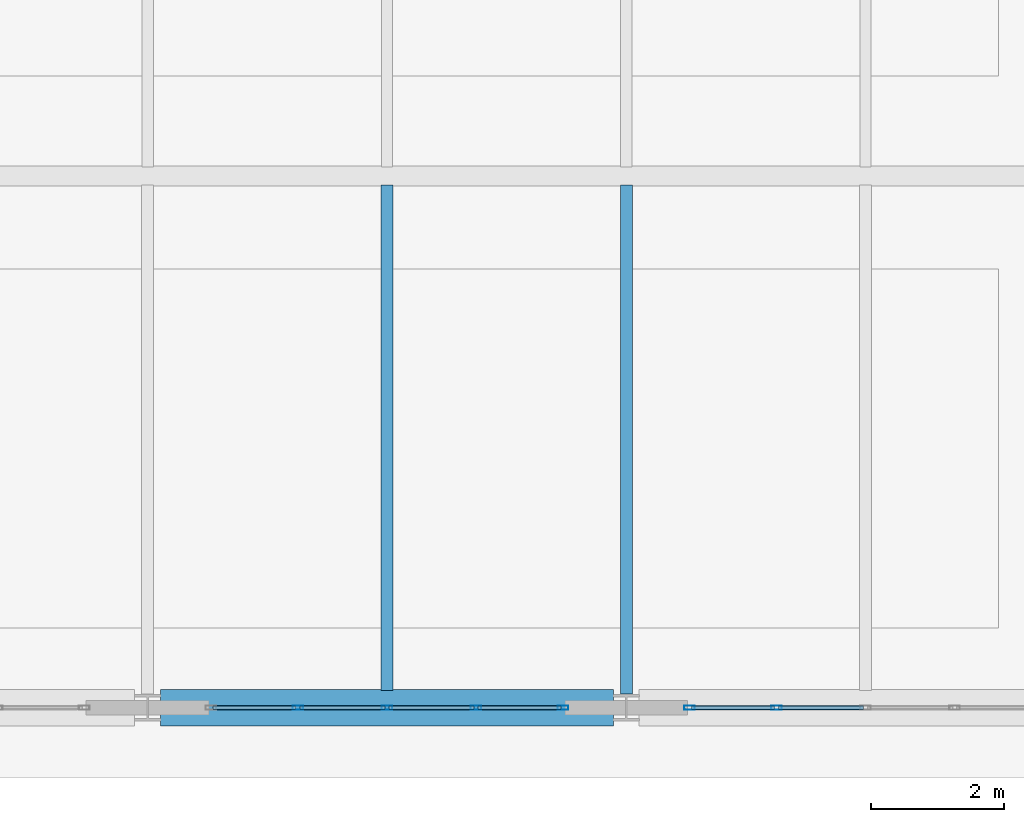
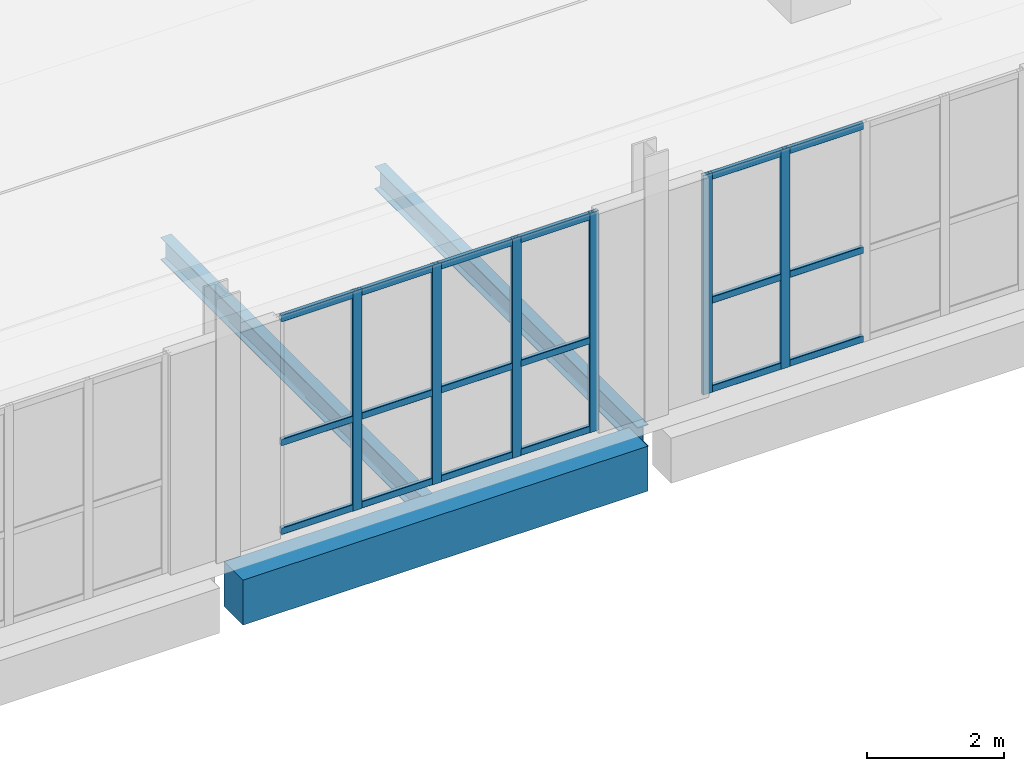
# One storey, part 8 of 36: 24 members, 3 beams, 2 elements without a shape of their own.
"""IFC4 building model written with IfcOpenShell, lengths in metres."""

from ifc_helpers import new_model, si_unit, direction, frame, origin, origin_2d, place, context, subcontext, project, spatial, rectangle, hollow_rectangle, i_section, extrude, material, layer, layer_set, material_profile, profile_set, type_object, element, aggregate, save


model = new_model("IFC4")

# Units and contexts
model_context = context("Model", 3, precision=1e-05, world=origin(), true_north=direction((0.0, 1.0)))
body_context = subcontext(model_context, "Body", "Model", "MODEL_VIEW")
ifc_project = project(units=[si_unit("LENGTHUNIT", "METRE"), si_unit("AREAUNIT", "SQUARE_METRE"), si_unit("VOLUMEUNIT", "CUBIC_METRE"), si_unit("PLANEANGLEUNIT", "RADIAN"), si_unit("MASSUNIT", "GRAM", prefix="KILO")], contexts=[model_context])

# Site, building, storey
site_placement = place(None, origin())
site = spatial("IfcSite", under=ifc_project, at=site_placement, CompositionType="ELEMENT")
building_placement = place(site_placement, origin())
building = spatial("IfcBuilding", under=site, at=building_placement, Name="Kaelvorn Grand Hotel", CompositionType="ELEMENT")
storey_placement = place(building_placement, frame((0.0, 0.0, 305.699951171875)))
storey = spatial("IfcBuildingStorey", under=building, at=storey_placement, Name="L74", CompositionType="ELEMENT", Elevation=305.699951171875)

# Beams
ifc_material_1 = material(Name="Steel S355", Category="steel")
ifc_material_profile_1 = material_profile(ifc_material_1, i_section(OverallWidth=0.179931640625, OverallDepth=0.39990234375, WebThickness=0.008544921875, FlangeThickness=0.013427734375, FilletRadius=0.02099609375, at=origin_2d()), Name="IPE 400")
ifc_profile_set_1 = profile_set([ifc_material_profile_1], Name="Steel S355")
beam_type_1 = type_object("IfcBeamType", Name="BM-J-IPE400-S355", PredefinedType="JOIST", material=ifc_profile_set_1)
beam_1_placement = place(storey_placement, frame((27.0, 7.260009765625, -0.579833984375), z_axis=(0.0, 1.0, 0.0), x_axis=(-1.0, 0.0, 0.0)))
element("IfcBeam", 1, at=beam_1_placement, inside=storey, type_object=beam_type_1, Name="L74 Composite Floor Joist JS-08", PredefinedType="JOIST", context=body_context, shape_type="SweptSolid", body=[
    extrude(i_section(OverallWidth=0.179931640625, OverallDepth=0.39990234375, WebThickness=0.008544921875, FlangeThickness=0.013427734375, FilletRadius=0.02099609375, at=origin_2d()), origin(), (0.0, 0.0, 1.0), 7.60400390625),
])
beam_2_placement = place(storey_placement, frame((30.60009765625, 7.205078125, -0.579833984375), z_axis=(0.0, 1.0, 0.0), x_axis=(-1.0, 0.0, 0.0)))
element("IfcBeam", 2, at=beam_2_placement, inside=storey, type_object=beam_type_1, Name="L74 Composite Floor Joist JS-09", PredefinedType="JOIST", context=body_context, shape_type="SweptSolid", body=[
    extrude(i_section(OverallWidth=0.179931640625, OverallDepth=0.39990234375, WebThickness=0.008544921875, FlangeThickness=0.013427734375, FilletRadius=0.02099609375, at=origin_2d()), origin(), (0.0, 0.0, 1.0), 7.658935546875),
])
ifc_material_2 = material(Name="Concrete C50/60", Category="concrete")
ifc_material_profile_2 = material_profile(ifc_material_2, rectangle(XDim=0.550048828125, YDim=0.800048828125, at=origin_2d()), Name="RC SPANDREL 550x800")
ifc_profile_set_2 = profile_set([ifc_material_profile_2], Name="Concrete C50/60")
beam_type_2 = type_object("IfcBeamType", Name="BM-SP-550x800-C50", PredefinedType="SPANDREL", material=ifc_profile_set_2)
beam_3_placement = place(storey_placement, frame((23.594970703125, 7.0, -0.780029296875), z_axis=(1.0, 0.0, 0.0), x_axis=(0.0, 1.0, 0.0)))
element("IfcBeam", 3, at=beam_3_placement, inside=storey, type_object=beam_type_2, Name="L74 South Perimeter Spandrel 03", PredefinedType="SPANDREL", context=body_context, shape_type="SweptSolid", body=[
    extrude(rectangle(XDim=0.550048828125, YDim=0.800048828125, at=origin_2d()), origin(), (0.0, 0.0, 1.0), 6.81005859375),
])

# Curtain wall, members
ifc_material_3 = material(Name="Anodised Aluminium", Category="aluminium")
ifc_layer = layer(ifc_material_3, 0.159912109375)
ifc_layer_set = layer_set([ifc_layer], Name="Anodised Aluminium")
curtain_wall_type = type_object("IfcCurtainWallType", Name="CW-SYS6", PredefinedType="NOTDEFINED", material=ifc_layer_set)
curtain_wall_1_placement = place(storey_placement, origin())
curtain_wall_1 = element("IfcCurtainWall", 4, at=curtain_wall_1_placement, inside=storey, type_object=curtain_wall_type, Name="L74 Unitised Curtain Wall CW6 (CW-L74-S-02)", PredefinedType="NOTDEFINED")
ifc_material_profile_3 = material_profile(ifc_material_3, hollow_rectangle(XDim=0.06494140625, YDim=0.159912109375, WallThickness=0.00341796875, InnerFilletRadius=0.00341796875, OuterFilletRadius=0.007080078125, at=origin_2d()), Name="ALU MULL 65x160")
ifc_profile_set_3 = profile_set([ifc_material_profile_3], Name="Anodised Aluminium")
member_type_1 = type_object("IfcMemberType", Name="CW-SYS6-MULL", PredefinedType="MULLION", material=ifc_profile_set_3)
member_1_placement = place(storey_placement, frame((25.659912109375, 7.0, 0.0), z_axis=(0.0, 0.0, 1.0), x_axis=(0.0, 1.0, 0.0)))
member_1 = element("IfcMember", 5, at=member_1_placement, type_object=member_type_1, Name="CW6 mullion 2", PredefinedType="MULLION", context=body_context, shape_type="SweptSolid", body=[
    extrude(hollow_rectangle(XDim=0.06494140625, YDim=0.159912109375, WallThickness=0.00341796875, InnerFilletRadius=0.00341796875, OuterFilletRadius=0.007080078125, at=origin_2d()), origin(), (0.0, 0.0, 1.0), 3.900146484375),
])
member_2_placement = place(storey_placement, frame((27.0, 7.0, 0.0), z_axis=(0.0, 0.0, 1.0), x_axis=(0.0, 1.0, 0.0)))
member_2 = element("IfcMember", 6, at=member_2_placement, type_object=member_type_1, Name="CW6 mullion 3", PredefinedType="MULLION", context=body_context, shape_type="SweptSolid", body=[
    extrude(hollow_rectangle(XDim=0.06494140625, YDim=0.159912109375, WallThickness=0.00341796875, InnerFilletRadius=0.00341796875, OuterFilletRadius=0.007080078125, at=origin_2d()), origin(), (0.0, 0.0, 1.0), 3.900146484375),
])
member_3_placement = place(storey_placement, frame((28.340087890625, 7.0, 0.0), z_axis=(0.0, 0.0, 1.0), x_axis=(0.0, 1.0, 0.0)))
member_3 = element("IfcMember", 7, at=member_3_placement, type_object=member_type_1, Name="CW6 mullion 4", PredefinedType="MULLION", context=body_context, shape_type="SweptSolid", body=[
    extrude(hollow_rectangle(XDim=0.06494140625, YDim=0.159912109375, WallThickness=0.00341796875, InnerFilletRadius=0.00341796875, OuterFilletRadius=0.007080078125, at=origin_2d()), origin(), (0.0, 0.0, 1.0), 3.900146484375),
])
member_4_placement = place(storey_placement, frame((29.6474609375, 7.0, 0.0), z_axis=(0.0, 0.0, 1.0), x_axis=(0.0, 1.0, 0.0)))
member_4 = element("IfcMember", 8, at=member_4_placement, type_object=member_type_1, Name="CW6 mullion 5", PredefinedType="MULLION", context=body_context, shape_type="SweptSolid", body=[
    extrude(hollow_rectangle(XDim=0.06494140625, YDim=0.159912109375, WallThickness=0.00341796875, InnerFilletRadius=0.00341796875, OuterFilletRadius=0.007080078125, at=origin_2d()), origin(), (0.0, 0.0, 1.0), 3.900146484375),
])

curtain_wall_2_placement = place(storey_placement, origin())
curtain_wall_2 = element("IfcCurtainWall", 9, at=curtain_wall_2_placement, inside=storey, type_object=curtain_wall_type, Name="L74 Unitised Curtain Wall CW6 (CW-L74-S-03)", PredefinedType="NOTDEFINED")
member_5_placement = place(storey_placement, frame((31.552490234375, 7.0, 0.0), z_axis=(0.0, 0.0, 1.0), x_axis=(0.0, 1.0, 0.0)))
member_5 = element("IfcMember", 10, at=member_5_placement, type_object=member_type_1, Name="CW6 mullion 1", PredefinedType="MULLION", context=body_context, shape_type="SweptSolid", body=[
    extrude(hollow_rectangle(XDim=0.06494140625, YDim=0.159912109375, WallThickness=0.00341796875, InnerFilletRadius=0.00341796875, OuterFilletRadius=0.007080078125, at=origin_2d()), origin(), (0.0, 0.0, 1.0), 3.900146484375),
])
member_6_placement = place(storey_placement, frame((32.860107421875, 7.0, 0.0), z_axis=(0.0, 0.0, 1.0), x_axis=(0.0, 1.0, 0.0)))
member_6 = element("IfcMember", 11, at=member_6_placement, type_object=member_type_1, Name="CW6 mullion 2", PredefinedType="MULLION", context=body_context, shape_type="SweptSolid", body=[
    extrude(hollow_rectangle(XDim=0.06494140625, YDim=0.159912109375, WallThickness=0.00341796875, InnerFilletRadius=0.00341796875, OuterFilletRadius=0.007080078125, at=origin_2d()), origin(), (0.0, 0.0, 1.0), 3.900146484375),
])

# Member
ifc_material_profile_4 = material_profile(ifc_material_3, hollow_rectangle(XDim=0.06494140625, YDim=0.1201171875, WallThickness=0.00341796875, InnerFilletRadius=0.00341796875, OuterFilletRadius=0.007080078125, at=origin_2d()), Name="ALU TRAN 65x120")
ifc_profile_set_4 = profile_set([ifc_material_profile_4], Name="Anodised Aluminium")
member_type_2 = type_object("IfcMemberType", Name="CW-SYS6-TRAN", PredefinedType="NOTDEFINED", material=ifc_profile_set_4)
member_7_placement = place(storey_placement, frame((24.385009765625, 7.0, 0.06005859375), z_axis=(1.0, 0.0, 0.0), x_axis=(0.0, 1.0, 0.0)))
member_7 = element("IfcMember", 12, at=member_7_placement, type_object=member_type_2, Name="CW6 transom 1.1", ObjectType="TRANSOM", PredefinedType="USERDEFINED", context=body_context, shape_type="SweptSolid", body=[
    extrude(hollow_rectangle(XDim=0.06494140625, YDim=0.1201171875, WallThickness=0.00341796875, InnerFilletRadius=0.00341796875, OuterFilletRadius=0.007080078125, at=origin_2d()), origin(), (0.0, 0.0, 1.0), 1.242431640625),
])

member_8_placement = place(storey_placement, frame((24.385009765625, 7.0, 1.637939453125), z_axis=(1.0, 0.0, 0.0), x_axis=(0.0, 1.0, 0.0)))
member_8 = element("IfcMember", 13, at=member_8_placement, type_object=member_type_2, Name="CW6 transom 1.2", ObjectType="TRANSOM", PredefinedType="USERDEFINED", context=body_context, shape_type="SweptSolid", body=[
    extrude(hollow_rectangle(XDim=0.06494140625, YDim=0.1201171875, WallThickness=0.00341796875, InnerFilletRadius=0.00341796875, OuterFilletRadius=0.007080078125, at=origin_2d()), origin(), (0.0, 0.0, 1.0), 1.242431640625),
])

member_9_placement = place(storey_placement, frame((24.385009765625, 7.0, 3.840087890625), z_axis=(1.0, 0.0, 0.0), x_axis=(0.0, 1.0, 0.0)))
member_9 = element("IfcMember", 14, at=member_9_placement, type_object=member_type_2, Name="CW6 transom 1.3", ObjectType="TRANSOM", PredefinedType="USERDEFINED", context=body_context, shape_type="SweptSolid", body=[
    extrude(hollow_rectangle(XDim=0.06494140625, YDim=0.1201171875, WallThickness=0.00341796875, InnerFilletRadius=0.00341796875, OuterFilletRadius=0.007080078125, at=origin_2d()), origin(), (0.0, 0.0, 1.0), 1.242431640625),
])

member_10_placement = place(storey_placement, frame((25.6923828125, 7.0, 0.06005859375), z_axis=(1.0, 0.0, 0.0), x_axis=(0.0, 1.0, 0.0)))
member_10 = element("IfcMember", 15, at=member_10_placement, type_object=member_type_2, Name="CW6 transom 2.1", ObjectType="TRANSOM", PredefinedType="USERDEFINED", context=body_context, shape_type="SweptSolid", body=[
    extrude(hollow_rectangle(XDim=0.06494140625, YDim=0.1201171875, WallThickness=0.00341796875, InnerFilletRadius=0.00341796875, OuterFilletRadius=0.007080078125, at=origin_2d()), origin(), (0.0, 0.0, 1.0), 1.275146484375),
])

member_11_placement = place(storey_placement, frame((25.6923828125, 7.0, 1.637939453125), z_axis=(1.0, 0.0, 0.0), x_axis=(0.0, 1.0, 0.0)))
member_11 = element("IfcMember", 16, at=member_11_placement, type_object=member_type_2, Name="CW6 transom 2.2", ObjectType="TRANSOM", PredefinedType="USERDEFINED", context=body_context, shape_type="SweptSolid", body=[
    extrude(hollow_rectangle(XDim=0.06494140625, YDim=0.1201171875, WallThickness=0.00341796875, InnerFilletRadius=0.00341796875, OuterFilletRadius=0.007080078125, at=origin_2d()), origin(), (0.0, 0.0, 1.0), 1.275146484375),
])

member_12_placement = place(storey_placement, frame((25.6923828125, 7.0, 3.840087890625), z_axis=(1.0, 0.0, 0.0), x_axis=(0.0, 1.0, 0.0)))
member_12 = element("IfcMember", 17, at=member_12_placement, type_object=member_type_2, Name="CW6 transom 2.3", ObjectType="TRANSOM", PredefinedType="USERDEFINED", context=body_context, shape_type="SweptSolid", body=[
    extrude(hollow_rectangle(XDim=0.06494140625, YDim=0.1201171875, WallThickness=0.00341796875, InnerFilletRadius=0.00341796875, OuterFilletRadius=0.007080078125, at=origin_2d()), origin(), (0.0, 0.0, 1.0), 1.275146484375),
])

member_13_placement = place(storey_placement, frame((27.032470703125, 7.0, 0.06005859375), z_axis=(1.0, 0.0, 0.0), x_axis=(0.0, 1.0, 0.0)))
member_13 = element("IfcMember", 18, at=member_13_placement, type_object=member_type_2, Name="CW6 transom 3.1", ObjectType="TRANSOM", PredefinedType="USERDEFINED", context=body_context, shape_type="SweptSolid", body=[
    extrude(hollow_rectangle(XDim=0.06494140625, YDim=0.1201171875, WallThickness=0.00341796875, InnerFilletRadius=0.00341796875, OuterFilletRadius=0.007080078125, at=origin_2d()), origin(), (0.0, 0.0, 1.0), 1.275146484375),
])

member_14_placement = place(storey_placement, frame((27.032470703125, 7.0, 1.637939453125), z_axis=(1.0, 0.0, 0.0), x_axis=(0.0, 1.0, 0.0)))
member_14 = element("IfcMember", 19, at=member_14_placement, type_object=member_type_2, Name="CW6 transom 3.2", ObjectType="TRANSOM", PredefinedType="USERDEFINED", context=body_context, shape_type="SweptSolid", body=[
    extrude(hollow_rectangle(XDim=0.06494140625, YDim=0.1201171875, WallThickness=0.00341796875, InnerFilletRadius=0.00341796875, OuterFilletRadius=0.007080078125, at=origin_2d()), origin(), (0.0, 0.0, 1.0), 1.275146484375),
])

member_15_placement = place(storey_placement, frame((27.032470703125, 7.0, 3.840087890625), z_axis=(1.0, 0.0, 0.0), x_axis=(0.0, 1.0, 0.0)))
member_15 = element("IfcMember", 20, at=member_15_placement, type_object=member_type_2, Name="CW6 transom 3.3", ObjectType="TRANSOM", PredefinedType="USERDEFINED", context=body_context, shape_type="SweptSolid", body=[
    extrude(hollow_rectangle(XDim=0.06494140625, YDim=0.1201171875, WallThickness=0.00341796875, InnerFilletRadius=0.00341796875, OuterFilletRadius=0.007080078125, at=origin_2d()), origin(), (0.0, 0.0, 1.0), 1.275146484375),
])

member_16_placement = place(storey_placement, frame((28.37255859375, 7.0, 0.06005859375), z_axis=(1.0, 0.0, 0.0), x_axis=(0.0, 1.0, 0.0)))
member_16 = element("IfcMember", 21, at=member_16_placement, type_object=member_type_2, Name="CW6 transom 4.1", ObjectType="TRANSOM", PredefinedType="USERDEFINED", context=body_context, shape_type="SweptSolid", body=[
    extrude(hollow_rectangle(XDim=0.06494140625, YDim=0.1201171875, WallThickness=0.00341796875, InnerFilletRadius=0.00341796875, OuterFilletRadius=0.007080078125, at=origin_2d()), origin(), (0.0, 0.0, 1.0), 1.242431640625),
])

member_17_placement = place(storey_placement, frame((28.37255859375, 7.0, 1.637939453125), z_axis=(1.0, 0.0, 0.0), x_axis=(0.0, 1.0, 0.0)))
member_17 = element("IfcMember", 22, at=member_17_placement, type_object=member_type_2, Name="CW6 transom 4.2", ObjectType="TRANSOM", PredefinedType="USERDEFINED", context=body_context, shape_type="SweptSolid", body=[
    extrude(hollow_rectangle(XDim=0.06494140625, YDim=0.1201171875, WallThickness=0.00341796875, InnerFilletRadius=0.00341796875, OuterFilletRadius=0.007080078125, at=origin_2d()), origin(), (0.0, 0.0, 1.0), 1.242431640625),
])

member_18_placement = place(storey_placement, frame((28.37255859375, 7.0, 3.840087890625), z_axis=(1.0, 0.0, 0.0), x_axis=(0.0, 1.0, 0.0)))
member_18 = element("IfcMember", 23, at=member_18_placement, type_object=member_type_2, Name="CW6 transom 4.3", ObjectType="TRANSOM", PredefinedType="USERDEFINED", context=body_context, shape_type="SweptSolid", body=[
    extrude(hollow_rectangle(XDim=0.06494140625, YDim=0.1201171875, WallThickness=0.00341796875, InnerFilletRadius=0.00341796875, OuterFilletRadius=0.007080078125, at=origin_2d()), origin(), (0.0, 0.0, 1.0), 1.242431640625),
])

aggregate(curtain_wall_1, [member_1, member_2, member_3, member_4, member_7, member_8, member_9, member_10, member_11, member_12, member_13, member_14, member_15, member_16, member_17, member_18])

member_19_placement = place(storey_placement, frame((31.5849609375, 7.0, 0.06005859375), z_axis=(1.0, 0.0, 0.0), x_axis=(0.0, 1.0, 0.0)))
member_19 = element("IfcMember", 24, at=member_19_placement, type_object=member_type_2, Name="CW6 transom 1.1", ObjectType="TRANSOM", PredefinedType="USERDEFINED", context=body_context, shape_type="SweptSolid", body=[
    extrude(hollow_rectangle(XDim=0.06494140625, YDim=0.1201171875, WallThickness=0.00341796875, InnerFilletRadius=0.00341796875, OuterFilletRadius=0.007080078125, at=origin_2d()), origin(), (0.0, 0.0, 1.0), 1.242431640625),
])

member_20_placement = place(storey_placement, frame((31.5849609375, 7.0, 1.637939453125), z_axis=(1.0, 0.0, 0.0), x_axis=(0.0, 1.0, 0.0)))
member_20 = element("IfcMember", 25, at=member_20_placement, type_object=member_type_2, Name="CW6 transom 1.2", ObjectType="TRANSOM", PredefinedType="USERDEFINED", context=body_context, shape_type="SweptSolid", body=[
    extrude(hollow_rectangle(XDim=0.06494140625, YDim=0.1201171875, WallThickness=0.00341796875, InnerFilletRadius=0.00341796875, OuterFilletRadius=0.007080078125, at=origin_2d()), origin(), (0.0, 0.0, 1.0), 1.242431640625),
])

member_21_placement = place(storey_placement, frame((31.5849609375, 7.0, 3.840087890625), z_axis=(1.0, 0.0, 0.0), x_axis=(0.0, 1.0, 0.0)))
member_21 = element("IfcMember", 26, at=member_21_placement, type_object=member_type_2, Name="CW6 transom 1.3", ObjectType="TRANSOM", PredefinedType="USERDEFINED", context=body_context, shape_type="SweptSolid", body=[
    extrude(hollow_rectangle(XDim=0.06494140625, YDim=0.1201171875, WallThickness=0.00341796875, InnerFilletRadius=0.00341796875, OuterFilletRadius=0.007080078125, at=origin_2d()), origin(), (0.0, 0.0, 1.0), 1.242431640625),
])

member_22_placement = place(storey_placement, frame((32.892578125, 7.0, 0.06005859375), z_axis=(1.0, 0.0, 0.0), x_axis=(0.0, 1.0, 0.0)))
member_22 = element("IfcMember", 27, at=member_22_placement, type_object=member_type_2, Name="CW6 transom 2.1", ObjectType="TRANSOM", PredefinedType="USERDEFINED", context=body_context, shape_type="SweptSolid", body=[
    extrude(hollow_rectangle(XDim=0.06494140625, YDim=0.1201171875, WallThickness=0.00341796875, InnerFilletRadius=0.00341796875, OuterFilletRadius=0.007080078125, at=origin_2d()), origin(), (0.0, 0.0, 1.0), 1.27490234375),
])

member_23_placement = place(storey_placement, frame((32.892578125, 7.0, 1.637939453125), z_axis=(1.0, 0.0, 0.0), x_axis=(0.0, 1.0, 0.0)))
member_23 = element("IfcMember", 28, at=member_23_placement, type_object=member_type_2, Name="CW6 transom 2.2", ObjectType="TRANSOM", PredefinedType="USERDEFINED", context=body_context, shape_type="SweptSolid", body=[
    extrude(hollow_rectangle(XDim=0.06494140625, YDim=0.1201171875, WallThickness=0.00341796875, InnerFilletRadius=0.00341796875, OuterFilletRadius=0.007080078125, at=origin_2d()), origin(), (0.0, 0.0, 1.0), 1.27490234375),
])

member_24_placement = place(storey_placement, frame((32.892578125, 7.0, 3.840087890625), z_axis=(1.0, 0.0, 0.0), x_axis=(0.0, 1.0, 0.0)))
member_24 = element("IfcMember", 29, at=member_24_placement, type_object=member_type_2, Name="CW6 transom 2.3", ObjectType="TRANSOM", PredefinedType="USERDEFINED", context=body_context, shape_type="SweptSolid", body=[
    extrude(hollow_rectangle(XDim=0.06494140625, YDim=0.1201171875, WallThickness=0.00341796875, InnerFilletRadius=0.00341796875, OuterFilletRadius=0.007080078125, at=origin_2d()), origin(), (0.0, 0.0, 1.0), 1.27490234375),
])

aggregate(curtain_wall_2, [member_5, member_6, member_19, member_20, member_21, member_22, member_23, member_24])

save(model, "model.ifc")
